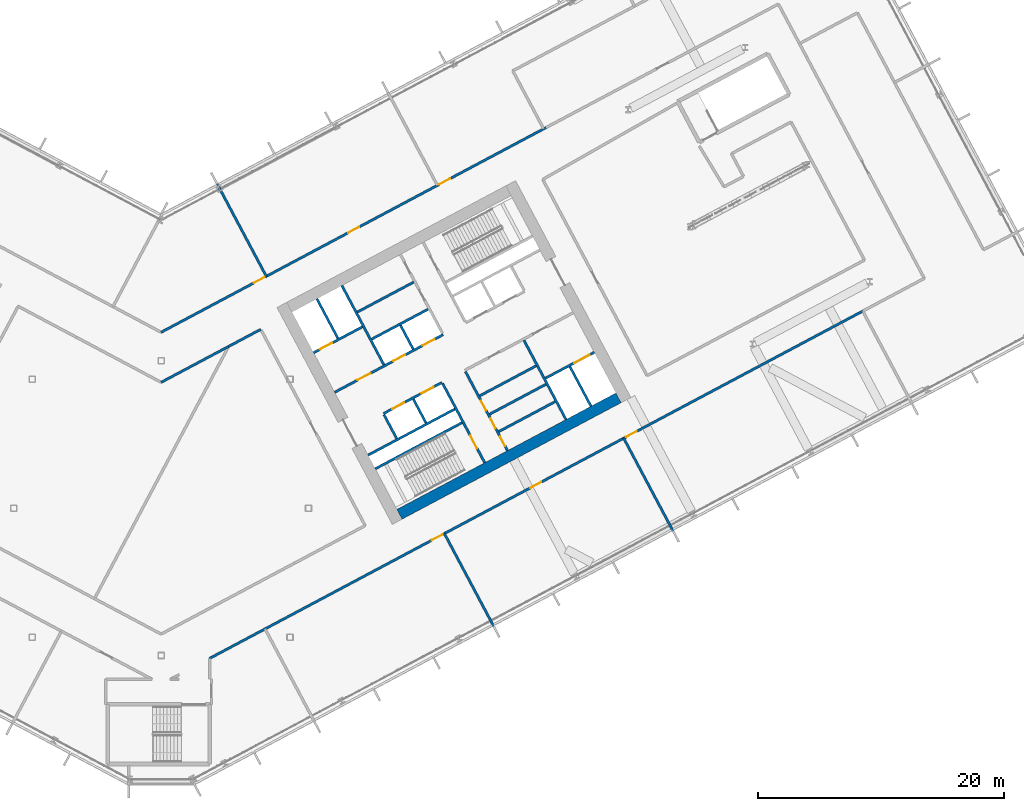
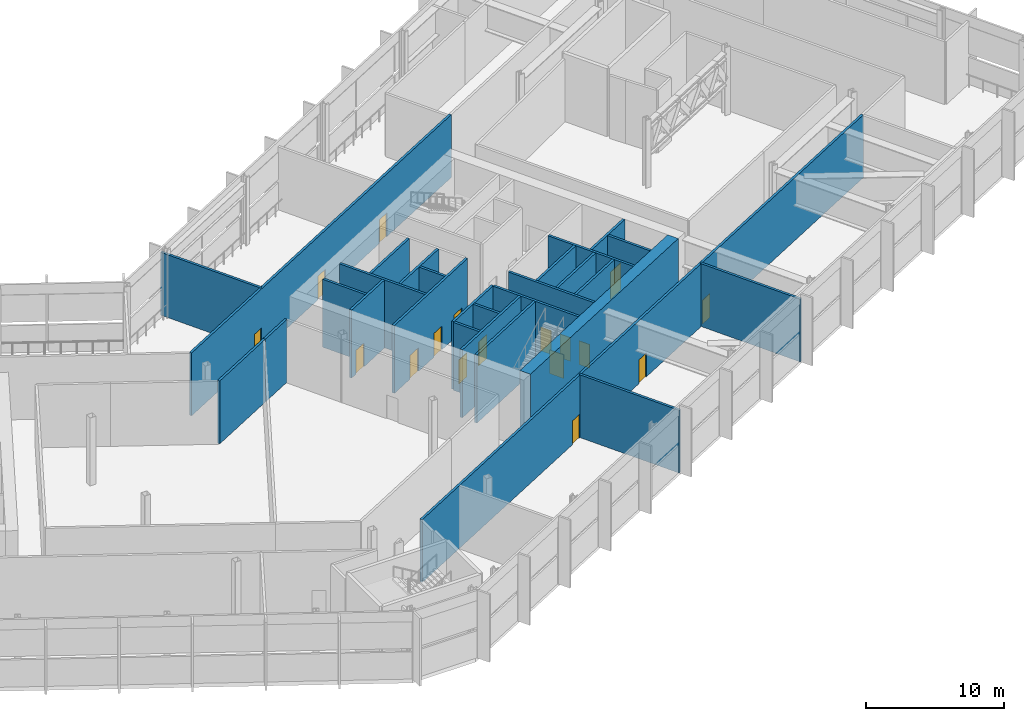
# One storey, part 15 of 33: 28 walls, 17 doors, 17 openings.
"""IFC4 building model written with IfcOpenShell, lengths in metres."""

import ifcopenshell
import ifcopenshell.guid

model = None  # the IFC model being written
_history = None  # IfcOwnerHistory: only IFC2X3 demands one
_inside = {}  # id of a spatial element -> (the spatial element, [elements in it])
_under = {}  # id of a project, library or spatial element -> (it, [spatial elements below it])
_declared = {}  # id of a project -> (the project, [libraries it declares])
_typed = {}  # id of a type object -> (the type object, [elements of that type])
_made_of = {}  # id of a material, layer set ... -> (it, [elements and type objects made of it])


def new_model(schema):
    """Start an empty IFC model of exactly this schema.

    Asked for "IFC4X3", IfcOpenShell would pick the latest addendum, in which some entities
    have other attributes; the version numbers below select the first issue.
    IFC2X3 requires an IfcOwnerHistory on every rooted entity: one is made here for all.
    """
    global model, _history
    if schema == "IFC4X3":
        model = ifcopenshell.file(schema_version=(4, 3, 0, 0))
    else:
        model = ifcopenshell.file(schema=schema)
    _inside.clear()
    _under.clear()
    _declared.clear()
    _typed.clear()
    _made_of.clear()
    _history = None
    if model.schema == "IFC2X3":
        org = make("IfcOrganization", Name="unknown")
        user = make(
            "IfcPersonAndOrganization",
            ThePerson=make("IfcPerson", FamilyName="unknown"),
            TheOrganization=org,
        )
        app = make(
            "IfcApplication",
            ApplicationDeveloper=org,
            Version="unknown",
            ApplicationFullName="unknown",
            ApplicationIdentifier="unknown",
        )
        _history = make(
            "IfcOwnerHistory",
            OwningUser=user,
            OwningApplication=app,
            ChangeAction="ADDED",
            CreationDate=0,
        )
    return model


def make(cls, **values):
    """One entity of the class cls with the attributes given. An attribute that is None is left unset."""
    return model.create_entity(
        cls, **{name: value for name, value in values.items() if value is not None}
    )


def rooted(cls, **values):
    """An entity with a GlobalId (a new one), such as an element, a storey or a relation."""
    return make(cls, GlobalId=ifcopenshell.guid.new(), OwnerHistory=_history, **values)


def si_unit(unit_type, name, prefix=None):
    """IfcSIUnit, for example si_unit("LENGTHUNIT", "METRE", prefix="MILLI")."""
    return make("IfcSIUnit", UnitType=unit_type, Prefix=prefix, Name=name)


def assignment(units):
    """IfcUnitAssignment: the units of a project."""
    return None if units is None else make("IfcUnitAssignment", Units=units)


def point(xyz):
    """IfcCartesianPoint."""
    return None if xyz is None else make("IfcCartesianPoint", Coordinates=xyz)


def direction(xyz):
    """IfcDirection."""
    return None if xyz is None else make("IfcDirection", DirectionRatios=xyz)


def frame(location, z_axis=None, x_axis=None):
    """IfcAxis2Placement3D, a coordinate frame: its origin and axes. An axis left out is left unset."""
    return make(
        "IfcAxis2Placement3D",
        Location=point(location),
        Axis=direction(z_axis),
        RefDirection=direction(x_axis),
    )


def frame_2d(location, x_axis=None):
    """IfcAxis2Placement2D, a coordinate frame in the plane: its origin and x axis."""
    return make(
        "IfcAxis2Placement2D", Location=point(location), RefDirection=direction(x_axis)
    )


def origin():
    """The frame at (0, 0, 0) with its axes left unset."""
    return frame((0.0, 0.0, 0.0))


def place(relative_to, where):
    """IfcLocalPlacement: puts the frame where relative to a parent placement (None: the world)."""
    return make(
        "IfcLocalPlacement", PlacementRelTo=relative_to, RelativePlacement=where
    )


def context(
    kind, dimensions, precision=None, world=None, true_north=None, identifier=None
):
    """IfcGeometricRepresentationContext, for example the 3D "Model" context."""
    return make(
        "IfcGeometricRepresentationContext",
        ContextIdentifier=identifier,
        ContextType=kind,
        CoordinateSpaceDimension=dimensions,
        Precision=precision,
        WorldCoordinateSystem=world,
        TrueNorth=true_north,
    )


def subcontext(parent, identifier, kind, view, scale=None):
    """IfcGeometricRepresentationSubContext, for example "Body" below "Model"."""
    return make(
        "IfcGeometricRepresentationSubContext",
        ContextIdentifier=identifier,
        ContextType=kind,
        ParentContext=parent,
        TargetScale=scale,
        TargetView=view,
    )


def project(units=None, contexts=None):
    """IfcProject with its units and contexts."""
    return rooted(
        "IfcProject",
        Name="project",
        RepresentationContexts=contexts,
        UnitsInContext=assignment(units),
    )


def spatial(cls, under=None, at=None, **own):
    """A site, building, storey or space (cls), placed at a placement, below another one or the project."""
    s = rooted(cls, ObjectPlacement=at, **own)
    if under is not None:
        _under.setdefault(under.id(), (under, []))[1].append(s)
    return s


def profile(cls, at=None, kind="AREA", **sizes):
    """A parametric profile (cls). Its sizes go by their IFC names, for example OverallWidth=200.0."""
    return make(cls, ProfileType=kind, Position=at, **sizes)


def rectangle(**sizes):
    """IfcRectangleProfileDef."""
    return profile("IfcRectangleProfileDef", **sizes)


def extrude(swept, where, along, depth):
    """IfcExtrudedAreaSolid: the profile swept, set in the frame where, extruded along a direction by depth."""
    return make(
        "IfcExtrudedAreaSolid",
        SweptArea=swept,
        Position=where,
        ExtrudedDirection=direction(along),
        Depth=depth,
    )


def shape(context_of_items, identifier, shape_type, items):
    """IfcShapeRepresentation: the items that make up one representation, for example the "Body"."""
    return make(
        "IfcShapeRepresentation",
        ContextOfItems=context_of_items,
        RepresentationIdentifier=identifier,
        RepresentationType=shape_type,
        Items=items,
    )


def material(Name=None, Category=None):
    """IfcMaterial."""
    return make("IfcMaterial", Name=Name, Category=Category)


def layer(
    of_material, thickness, ventilated=None, Name=None, Category=None, Priority=None
):
    """IfcMaterialLayer: one layer of a wall or slab, of a material (None: an air gap)."""
    return make(
        "IfcMaterialLayer",
        Material=of_material,
        LayerThickness=thickness,
        IsVentilated=ventilated,
        Name=Name,
        Category=Category,
        Priority=Priority,
    )


def layer_set(layers, Name=None):
    """IfcMaterialLayerSet."""
    return make("IfcMaterialLayerSet", MaterialLayers=layers, LayerSetName=Name)


def made_of(thing, what):
    """Note that an element or type object is made of a material, layer set ...; save() writes the relation."""
    if what is not None:
        _made_of.setdefault(what.id(), (what, []))[1].append(thing)
    return thing


def type_object(cls, material=None, **own):
    """A type object (cls), such as IfcWallType, which elements share."""
    return made_of(rooted(cls, **own), material)


def element(
    cls,
    number,
    at=None,
    inside=None,
    cuts=None,
    type_object=None,
    material=None,
    context=None,
    identifier="Body",
    shape_type=None,
    held_by="IfcProductDefinitionShape",
    body=None,
    shapes=None,
    **own,
):
    """One element of the class cls, such as IfcWall. Its Tag is "e" and its number.

    at: its placement. inside: the storey or other place that contains it. cuts: it is an
    opening in that element (IfcRelVoidsElement). A single representation is given by context,
    identifier, shape_type and body (its items); several are given by shapes. held_by: the class
    of the entity that holds the representations. save() writes the other relations.
    """
    e = rooted(cls, Tag="e%d" % number, ObjectPlacement=at, **own)
    if body is not None:
        shapes = [shape(context, identifier, shape_type, body)]
    if shapes is not None:
        e.Representation = make(held_by, Representations=shapes)
    if inside is not None:
        _inside.setdefault(inside.id(), (inside, []))[1].append(e)
    if cuts is not None:
        rooted(
            "IfcRelVoidsElement", RelatingBuildingElement=cuts, RelatedOpeningElement=e
        )
    if type_object is not None:
        _typed.setdefault(type_object.id(), (type_object, []))[1].append(e)
    return made_of(e, material)


def fill(opening, filler):
    """IfcRelFillsElement: the door or window that sits in an opening."""
    return rooted(
        "IfcRelFillsElement",
        RelatingOpeningElement=opening,
        RelatedBuildingElement=filler,
    )


def aggregate(whole, parts):
    """IfcRelAggregates: a whole, such as a stair, and the parts it consists of."""
    return rooted("IfcRelAggregates", RelatingObject=whole, RelatedObjects=parts)


def save(model, path):
    """Write the relations noted so far, then the file.

    IfcRelAggregates (storeys below a building ...), IfcRelContainedInSpatialStructure (elements
    in a storey), IfcRelDefinesByType, IfcRelAssociatesMaterial and IfcRelDeclares: one each for
    every whole, place, type object, material and project.
    """
    for whole, parts in _under.values():
        aggregate(whole, parts)
    for where, things in _inside.values():
        rooted(
            "IfcRelContainedInSpatialStructure",
            RelatedElements=things,
            RelatingStructure=where,
        )
    for kind, things in _typed.values():
        rooted("IfcRelDefinesByType", RelatedObjects=things, RelatingType=kind)
    for what, things in _made_of.values():
        rooted("IfcRelAssociatesMaterial", RelatedObjects=things, RelatingMaterial=what)
    for by, libraries in _declared.values():
        rooted("IfcRelDeclares", RelatingContext=by, RelatedDefinitions=libraries)
    model.write(path)


model = new_model("IFC4")

# Units and contexts
model_context = context("Model", 3, precision=1e-05, world=origin(), true_north=direction((0.0, 1.0)))
body_context = subcontext(model_context, "Body", "Model", "MODEL_VIEW")
ifc_project = project(units=[si_unit("LENGTHUNIT", "METRE"), si_unit("AREAUNIT", "SQUARE_METRE"), si_unit("VOLUMEUNIT", "CUBIC_METRE"), si_unit("PLANEANGLEUNIT", "RADIAN"), si_unit("MASSUNIT", "GRAM", prefix="KILO")], contexts=[model_context])

# Site, building, storey
site_placement = place(None, origin())
site = spatial("IfcSite", under=ifc_project, at=site_placement, CompositionType="ELEMENT")
building_placement = place(site_placement, origin())
building = spatial("IfcBuilding", under=site, at=building_placement, Name="Cormorant Relay Tower", CompositionType="ELEMENT")
storey_placement = place(building_placement, frame((0.0, 0.0, 112.199951171875)))
storey = spatial("IfcBuildingStorey", under=building, at=storey_placement, Name="L22", CompositionType="ELEMENT", Elevation=112.199951171875)

# Walls
ifc_material_1 = material(Name="Concrete 40 MPa", Category="concrete")
ifc_layer_1 = layer(ifc_material_1, 0.199951171875)
ifc_layer_set_1 = layer_set([ifc_layer_1], Name="Core internal wall 200")
wall_type_1 = type_object("IfcWallType", Name="Core internal wall 200", PredefinedType="SOLIDWALL", material=ifc_layer_set_1)
for number, where, z_axis, x_axis, name in (
    (1, (21.567626953125, 6.9375, 0.0), (0.0, 0.0, 1.0), (-0.469533832133, 0.882914480843, 0.0), "L22 core B shaft and room wall"),
    (2, (20.522216796875, 12.950439453125, 0.0), (0.0, 0.0, 1.0), (-0.469401318492, 0.882984938828, 0.0), "L22 core B shaft and room wall"),
):
    element("IfcWall", number, at=place(storey_placement, frame(where, z_axis=z_axis, x_axis=x_axis)), inside=storey, type_object=wall_type_1, Name=name, PredefinedType="SOLIDWALL", context=body_context, shape_type="SweptSolid", body=[
        extrude(rectangle(XDim=2.199951171875, YDim=0.199951171875, at=frame_2d((1.10009765625, 0.0))), origin(), (0.0, 0.0, 1.0), 6.0),
    ])
for number, where, z_axis, x_axis, name in (
    (3, (27.490234375, 6.23583984375, 0.0), (0.0, 0.0, 1.0), (0.882953967957, 0.469459572775, 0.0), "L22 core B shaft and room wall"),
    (4, (26.739013671875, 7.6484375, 0.0), (0.0, 0.0, 1.0), (0.882934506056, 0.469496174655, 0.0), "L22 core B shaft and room wall"),
    (5, (15.97314453125, 15.968017578125, 0.0), (0.0, 0.0, 1.0), (0.882953967957, 0.469459572775, 0.0), "L22 core B shaft and room wall"),
):
    element("IfcWall", number, at=place(storey_placement, frame(where, z_axis=z_axis, x_axis=x_axis)), inside=storey, type_object=wall_type_1, Name=name, PredefinedType="SOLIDWALL", context=body_context, shape_type="SweptSolid", body=[
        extrude(rectangle(XDim=5.199951171875, YDim=0.199951171875, at=frame_2d((2.60009765625, 0.0))), origin(), (0.0, 0.0, 1.0), 6.0),
    ])
ifc_material_2 = material(Name="Concrete 50 MPa", Category="concrete")
ifc_layer_2 = layer(ifc_material_2, 0.199951171875)
ifc_layer_set_2 = layer_set([ifc_layer_2], Name="Core shaft wall 200")
wall_type_2 = type_object("IfcWallType", Name="Core shaft wall 200", PredefinedType="SHEAR", material=ifc_layer_set_2)
wall_1_placement = place(storey_placement, frame((14.39404296875, 13.825927734375, 0.0), z_axis=(0.0, 0.0, 1.0), x_axis=(-0.469494272526, 0.882935517501, 0.0)))
element("IfcWall", 6, at=wall_1_placement, inside=storey, type_object=wall_type_2, Name="L22 core B shaft wall", PredefinedType="SHEAR", context=body_context, shape_type="SweptSolid", body=[
    extrude(rectangle(XDim=3.64990234375, YDim=0.199951171875, at=frame_2d((1.824951171875, 0.0))), origin(), (0.0, 0.0, 1.0), 6.0),
])
wall_2_placement = place(storey_placement, frame((19.18359375, 5.669921875, 0.0), z_axis=(0.0, 0.0, 1.0), x_axis=(-0.4694473164, 0.882960484464, 0.0)))
element("IfcWall", 7, at=wall_2_placement, inside=storey, type_object=wall_type_2, Name="L22 core B shaft wall", PredefinedType="SHEAR", context=body_context, shape_type="SweptSolid", body=[
    extrude(rectangle(XDim=2.199951171875, YDim=0.199951171875, at=frame_2d((1.10009765625, 0.0))), origin(), (0.0, 0.0, 1.0), 6.0),
])
wall_3_placement = place(storey_placement, frame((18.138427734375, 11.682861328125, 0.0), z_axis=(0.0, 0.0, 1.0), x_axis=(-0.469480409012, 0.88294288918, 0.0)))
element("IfcWall", 8, at=wall_3_placement, inside=storey, type_object=wall_type_2, Name="L22 core B shaft wall", PredefinedType="SHEAR", context=body_context, shape_type="SweptSolid", body=[
    extrude(rectangle(XDim=7.300048828125, YDim=0.199951171875, at=frame_2d((3.64990234375, 0.0))), origin(), (0.0, 0.0, 1.0), 6.0),
])

# Wall, opening, door
wall_4_placement = place(storey_placement, frame((26.345947265625, 3.701904296875, 0.0), z_axis=(0.0, 0.0, 1.0), x_axis=(-0.469480409012, 0.88294288918, 0.0)))
wall_4 = element("IfcWall", 9, at=wall_4_placement, inside=storey, type_object=wall_type_2, Name="L22 core B shaft wall", PredefinedType="SHEAR", context=body_context, shape_type="SweptSolid", body=[
    extrude(rectangle(XDim=7.300048828125, YDim=0.199951171875, at=frame_2d((3.64990234375, 0.0))), origin(), (0.0, 0.0, 1.0), 6.0),
])
opening_1_placement = place(wall_4_placement, frame((1.300048828125, 0.0, 0.0)))
opening_1 = element("IfcOpeningElement", 10, at=opening_1_placement, cuts=wall_4, Name="Opening CDB-031", PredefinedType="OPENING", context=body_context, shape_type="SweptSolid", body=[
    extrude(rectangle(XDim=1.199951171875, YDim=2.10009765625, at=frame_2d((0.60009765625, 1.050048828125))), frame((0.0, 0.10986328125, 0.0), z_axis=(0.0, -1.0, 0.0), x_axis=(1.0, 0.0, 0.0)), (0.0, 0.0, 1.0), 0.219970703125),
])
ifc_material_3 = material(Name="Steel fire door", Category="steel")
door_type_1 = type_object("IfcDoorType", Name="Core stair door 1200x2100", OperationType="SINGLE_SWING_LEFT", PredefinedType="DOOR", material=ifc_material_3)
door_1_placement = place(opening_1_placement, origin())
door_1 = element("IfcDoor", 11, at=door_1_placement, inside=storey, type_object=door_type_1, Name="Core stair door 1200x2100", OperationType="SINGLE_SWING_RIGHT", OverallHeight=2.10009765625, OverallWidth=1.199951171875, PredefinedType="DOOR", context=body_context, shape_type="SweptSolid", body=[
    extrude(rectangle(XDim=1.199951171875, YDim=2.10009765625, at=frame_2d((0.60009765625, 1.050048828125))), frame((0.0, 0.02490234375, 0.0), z_axis=(0.0, -1.0, 0.0), x_axis=(1.0, 0.0, 0.0)), (0.0, 0.0, 1.0), 0.050048828125),
])
fill(opening_1, door_1)

# Wall, openings, doors
wall_5_placement = place(storey_placement, frame((28.199951171875, 4.687744140625, 0.0), z_axis=(0.0, 0.0, 1.0), x_axis=(-0.469454336211, 0.882956752176, 0.0)))
wall_5 = element("IfcWall", 12, at=wall_5_placement, inside=storey, type_object=wall_type_2, Name="L22 core B shaft wall", PredefinedType="SHEAR", context=body_context, shape_type="SweptSolid", body=[
    extrude(rectangle(XDim=7.300048828125, YDim=0.199951171875, at=frame_2d((3.64990234375, 0.0))), origin(), (0.0, 0.0, 1.0), 6.0),
])
opening_2_placement = place(wall_5_placement, frame((0.39990234375, 0.0, 0.0)))
opening_2 = element("IfcOpeningElement", 13, at=opening_2_placement, cuts=wall_5, Name="Opening CDD-163", PredefinedType="OPENING", context=body_context, shape_type="SweptSolid", body=[
    extrude(rectangle(XDim=0.89990234375, YDim=2.10009765625, at=frame_2d((0.449951171875, 1.050048828125))), frame((0.0, 0.10986328125, 0.0), z_axis=(0.0, -1.0, 0.0), x_axis=(1.0, 0.0, 0.0)), (0.0, 0.0, 1.0), 0.219970703125),
])
opening_3_placement = place(wall_5_placement, frame((2.050048828125, 0.0, 0.0)))
opening_3 = element("IfcOpeningElement", 14, at=opening_3_placement, cuts=wall_5, Name="Opening CDD-164", PredefinedType="OPENING", context=body_context, shape_type="SweptSolid", body=[
    extrude(rectangle(XDim=0.89990234375, YDim=2.10009765625, at=frame_2d((0.449951171875, 1.050048828125))), frame((0.0, 0.10986328125, 0.0), z_axis=(0.0, -1.0, 0.0), x_axis=(1.0, 0.0, 0.0)), (0.0, 0.0, 1.0), 0.219970703125),
])
opening_4_placement = place(wall_5_placement, frame((3.699951171875, 0.0, 0.0)))
opening_4 = element("IfcOpeningElement", 15, at=opening_4_placement, cuts=wall_5, Name="Opening CDD-165", PredefinedType="OPENING", context=body_context, shape_type="SweptSolid", body=[
    extrude(rectangle(XDim=0.89990234375, YDim=2.10009765625, at=frame_2d((0.449951171875, 1.050048828125))), frame((0.0, 0.10986328125, 0.0), z_axis=(0.0, -1.0, 0.0), x_axis=(1.0, 0.0, 0.0)), (0.0, 0.0, 1.0), 0.219970703125),
])
ifc_material_4 = material(Name="Steel fire door", Category="steel")
door_type_2 = type_object("IfcDoorType", Name="Core room door 900x2100", OperationType="SINGLE_SWING_LEFT", PredefinedType="DOOR", material=ifc_material_4)
door_2_placement = place(opening_2_placement, frame((0.89990234375, 0.0, 0.0), z_axis=(0.0, 0.0, 1.0), x_axis=(-1.0, 0.0, 0.0)))
door_2 = element("IfcDoor", 16, at=door_2_placement, inside=storey, type_object=door_type_2, Name="Core room door 900x2100", OperationType="SINGLE_SWING_LEFT", OverallHeight=2.10009765625, OverallWidth=0.89990234375, PredefinedType="DOOR", context=body_context, shape_type="SweptSolid", body=[
    extrude(rectangle(XDim=0.89990234375, YDim=2.10009765625, at=frame_2d((0.449951171875, 1.050048828125))), frame((0.0, 0.02490234375, 0.0), z_axis=(0.0, -1.0, 0.0), x_axis=(1.0, 0.0, 0.0)), (0.0, 0.0, 1.0), 0.050048828125),
])
fill(opening_2, door_2)
door_3_placement = place(opening_3_placement, frame((0.89990234375, 0.0, 0.0), z_axis=(0.0, 0.0, 1.0), x_axis=(-1.0, 0.0, 0.0)))
door_3 = element("IfcDoor", 17, at=door_3_placement, inside=storey, type_object=door_type_2, Name="Core room door 900x2100", OperationType="SINGLE_SWING_LEFT", OverallHeight=2.10009765625, OverallWidth=0.89990234375, PredefinedType="DOOR", context=body_context, shape_type="SweptSolid", body=[
    extrude(rectangle(XDim=0.89990234375, YDim=2.10009765625, at=frame_2d((0.449951171875, 1.050048828125))), frame((0.0, 0.02490234375, 0.0), z_axis=(0.0, -1.0, 0.0), x_axis=(1.0, 0.0, 0.0)), (0.0, 0.0, 1.0), 0.050048828125),
])
fill(opening_3, door_3)
door_4_placement = place(opening_4_placement, frame((0.89990234375, 0.0, 0.0), z_axis=(0.0, 0.0, 1.0), x_axis=(-1.0, 0.0, 0.0)))
door_4 = element("IfcDoor", 18, at=door_4_placement, inside=storey, type_object=door_type_2, Name="Core room door 900x2100", OperationType="SINGLE_SWING_LEFT", OverallHeight=2.10009765625, OverallWidth=0.89990234375, PredefinedType="DOOR", context=body_context, shape_type="SweptSolid", body=[
    extrude(rectangle(XDim=0.89990234375, YDim=2.10009765625, at=frame_2d((0.449951171875, 1.050048828125))), frame((0.0, 0.02490234375, 0.0), z_axis=(0.0, -1.0, 0.0), x_axis=(1.0, 0.0, 0.0)), (0.0, 0.0, 1.0), 0.050048828125),
])
fill(opening_4, door_4)

# Walls
wall_6_placement = place(storey_placement, frame((32.968017578125, 7.222900390625, 0.0), z_axis=(0.0, 0.0, 1.0), x_axis=(-0.469480409012, 0.88294288918, 0.0)))
element("IfcWall", 19, at=wall_6_placement, inside=storey, type_object=wall_type_2, Name="L22 core B shaft wall", PredefinedType="SHEAR", context=body_context, shape_type="SweptSolid", body=[
    extrude(rectangle(XDim=7.300048828125, YDim=0.199951171875, at=frame_2d((3.64990234375, 0.0))), origin(), (0.0, 0.0, 1.0), 6.0),
])
wall_7_placement = place(storey_placement, frame((34.998779296875, 8.302734375, 0.0), z_axis=(0.0, 0.0, 1.0), x_axis=(-0.4694665462, 0.882950260207, 0.0)))
element("IfcWall", 20, at=wall_7_placement, inside=storey, type_object=wall_type_2, Name="L22 core B shaft wall", PredefinedType="SHEAR", context=body_context, shape_type="SweptSolid", body=[
    extrude(rectangle(XDim=3.650146484375, YDim=0.199951171875, at=frame_2d((1.8251953125, 0.0))), origin(), (0.0, 0.0, 1.0), 6.0),
])
wall_8_placement = place(storey_placement, frame((17.43359375, 3.210205078125, 0.0), z_axis=(0.0, 0.0, 1.0), x_axis=(0.882940221191, 0.469485426614, 0.0)))
element("IfcWall", 21, at=wall_8_placement, inside=storey, type_object=wall_type_2, Name="L22 core B shaft wall", PredefinedType="SHEAR", context=body_context, shape_type="SweptSolid", body=[
    extrude(rectangle(XDim=8.0, YDim=0.199951171875, at=frame_2d((4.0, 0.0))), origin(), (0.0, 0.0, 1.0), 6.0),
])

# Wall, opening, door
wall_9_placement = place(storey_placement, frame((31.295654296875, 10.5810546875, 0.0), z_axis=(0.0, 0.0, 1.0), x_axis=(0.882960433586, 0.469447412093, 0.0)))
wall_9 = element("IfcWall", 22, at=wall_9_placement, inside=storey, type_object=wall_type_2, Name="L22 core B shaft wall", PredefinedType="SHEAR", context=body_context, shape_type="SweptSolid", body=[
    extrude(rectangle(XDim=4.5, YDim=0.199951171875, at=frame_2d((2.25, 0.0))), origin(), (0.0, 0.0, 1.0), 6.0),
])
opening_5_placement = place(wall_9_placement, frame((2.64990234375, 0.0, 0.0)))
opening_5 = element("IfcOpeningElement", 23, at=opening_5_placement, cuts=wall_9, Name="Opening LD3-012", PredefinedType="OPENING", context=body_context, shape_type="SweptSolid", body=[
    extrude(rectangle(XDim=1.39990234375, YDim=2.39990234375, at=frame_2d((0.699951171875, 1.199951171875))), frame((0.0, 0.10986328125, 0.0), z_axis=(0.0, -1.0, 0.0), x_axis=(1.0, 0.0, 0.0)), (0.0, 0.0, 1.0), 0.219970703125),
])
ifc_material_5 = material(Name="Stainless steel 316", Category="steel")
door_type_3 = type_object("IfcDoorType", Name="Lift landing door 1400x2400", OperationType="DOUBLE_DOOR_SLIDING", PredefinedType="DOOR", material=ifc_material_5)
door_5_placement = place(opening_5_placement, origin())
door_5 = element("IfcDoor", 24, at=door_5_placement, inside=storey, type_object=door_type_3, Name="SV2 landing door", OperationType="DOUBLE_DOOR_SLIDING", OverallHeight=2.39990234375, OverallWidth=1.39990234375, PredefinedType="DOOR", context=body_context, shape_type="SweptSolid", body=[
    extrude(rectangle(XDim=1.39990234375, YDim=2.39990234375, at=frame_2d((0.699951171875, 1.199951171875))), frame((0.0, 0.02490234375, 0.0), z_axis=(0.0, -1.0, 0.0), x_axis=(1.0, 0.0, 0.0)), (0.0, 0.0, 1.0), 0.050048828125),
])
fill(opening_5, door_5)

# Walls
wall_10_placement = place(storey_placement, frame((16.8466796875, 4.31396484375, 0.0), z_axis=(0.0, 0.0, 1.0), x_axis=(0.882940221191, 0.469485426614, 0.0)))
element("IfcWall", 25, at=wall_10_placement, inside=storey, type_object=wall_type_2, Name="L22 core B shaft wall", PredefinedType="SHEAR", context=body_context, shape_type="SweptSolid", body=[
    extrude(rectangle(XDim=8.0, YDim=0.199951171875, at=frame_2d((4.0, 0.0))), origin(), (0.0, 0.0, 1.0), 6.0),
])
wall_11_placement = place(storey_placement, frame((25.94091796875, 9.149658203125, 0.0), z_axis=(0.0, 0.0, 1.0), x_axis=(0.882953967957, 0.469459572775, 0.0)))
element("IfcWall", 26, at=wall_11_placement, inside=storey, type_object=wall_type_2, Name="L22 core B shaft wall", PredefinedType="SHEAR", context=body_context, shape_type="SweptSolid", body=[
    extrude(rectangle(XDim=5.199951171875, YDim=0.199951171875, at=frame_2d((2.60009765625, 0.0))), origin(), (0.0, 0.0, 1.0), 6.0),
])

# Wall, openings, doors
wall_12_placement = place(storey_placement, frame((18.103759765625, 7.70068359375, 0.0), z_axis=(0.0, 0.0, 1.0), x_axis=(0.882952937579, 0.469461510692, 0.0)))
wall_12 = element("IfcWall", 27, at=wall_12_placement, inside=storey, type_object=wall_type_2, Name="L22 core B shaft wall", PredefinedType="SHEAR", context=body_context, shape_type="SweptSolid", body=[
    extrude(rectangle(XDim=5.400146484375, YDim=0.199951171875, at=frame_2d((2.7001953125, 0.0))), origin(), (0.0, 0.0, 1.0), 6.0),
])
opening_6_placement = place(wall_12_placement, frame((0.800048828125, 0.0, 0.0)))
opening_6 = element("IfcOpeningElement", 28, at=opening_6_placement, cuts=wall_12, Name="Opening LD1-040", PredefinedType="OPENING", context=body_context, shape_type="SweptSolid", body=[
    extrude(rectangle(XDim=1.10009765625, YDim=2.10009765625, at=frame_2d((0.550048828125, 1.050048828125))), frame((0.0, 0.10986328125, 0.0), z_axis=(0.0, -1.0, 0.0), x_axis=(1.0, 0.0, 0.0)), (0.0, 0.0, 1.0), 0.219970703125),
])
opening_7_placement = place(wall_12_placement, frame((3.5, 0.0, 0.0)))
opening_7 = element("IfcOpeningElement", 29, at=opening_7_placement, cuts=wall_12, Name="Opening LD1-041", PredefinedType="OPENING", context=body_context, shape_type="SweptSolid", body=[
    extrude(rectangle(XDim=1.10009765625, YDim=2.10009765625, at=frame_2d((0.550048828125, 1.050048828125))), frame((0.0, 0.10986328125, 0.0), z_axis=(0.0, -1.0, 0.0), x_axis=(1.0, 0.0, 0.0)), (0.0, 0.0, 1.0), 0.219970703125),
])
ifc_material_6 = material(Name="Stainless steel 316", Category="steel")
door_type_4 = type_object("IfcDoorType", Name="Lift landing door 1100x2100", OperationType="DOUBLE_DOOR_SLIDING", PredefinedType="DOOR", material=ifc_material_6)
door_6_placement = place(opening_6_placement, origin())
door_6 = element("IfcDoor", 30, at=door_6_placement, inside=storey, type_object=door_type_4, Name="LR5 landing door", OperationType="DOUBLE_DOOR_SLIDING", OverallHeight=2.10009765625, OverallWidth=1.10009765625, PredefinedType="DOOR", context=body_context, shape_type="SweptSolid", body=[
    extrude(rectangle(XDim=1.10009765625, YDim=2.10009765625, at=frame_2d((0.550048828125, 1.050048828125))), frame((0.0, 0.02490234375, 0.0), z_axis=(0.0, -1.0, 0.0), x_axis=(1.0, 0.0, 0.0)), (0.0, 0.0, 1.0), 0.050048828125),
])
fill(opening_6, door_6)
door_7_placement = place(opening_7_placement, origin())
door_7 = element("IfcDoor", 31, at=door_7_placement, inside=storey, type_object=door_type_4, Name="LR6 landing door", OperationType="DOUBLE_DOOR_SLIDING", OverallHeight=2.10009765625, OverallWidth=1.10009765625, PredefinedType="DOOR", context=body_context, shape_type="SweptSolid", body=[
    extrude(rectangle(XDim=1.10009765625, YDim=2.10009765625, at=frame_2d((0.550048828125, 1.050048828125))), frame((0.0, 0.02490234375, 0.0), z_axis=(0.0, -1.0, 0.0), x_axis=(1.0, 0.0, 0.0)), (0.0, 0.0, 1.0), 0.050048828125),
])
fill(opening_7, door_7)

wall_13_placement = place(storey_placement, frame((14.123779296875, 9.43505859375, 0.0), z_axis=(0.0, 0.0, 1.0), x_axis=(0.882940221191, 0.469485426614, 0.0)))
wall_13 = element("IfcWall", 32, at=wall_13_placement, inside=storey, type_object=wall_type_2, Name="L22 core B shaft wall", PredefinedType="SHEAR", context=body_context, shape_type="SweptSolid", body=[
    extrude(rectangle(XDim=10.0, YDim=0.199951171875, at=frame_2d((5.0, 0.0))), origin(), (0.0, 0.0, 1.0), 6.0),
])
opening_8_placement = place(wall_13_placement, frame((2.10009765625, 0.0, 0.0)))
opening_8 = element("IfcOpeningElement", 33, at=opening_8_placement, cuts=wall_13, Name="Opening CDC-023", PredefinedType="OPENING", context=body_context, shape_type="SweptSolid", body=[
    extrude(rectangle(XDim=1.199951171875, YDim=2.10009765625, at=frame_2d((0.60009765625, 1.050048828125))), frame((0.0, 0.10986328125, 0.0), z_axis=(0.0, -1.0, 0.0), x_axis=(1.0, 0.0, 0.0)), (0.0, 0.0, 1.0), 0.219970703125),
])
opening_9_placement = place(wall_13_placement, frame((5.39990234375, 0.0, 0.0)))
opening_9 = element("IfcOpeningElement", 34, at=opening_9_placement, cuts=wall_13, Name="Opening LD1-036", PredefinedType="OPENING", context=body_context, shape_type="SweptSolid", body=[
    extrude(rectangle(XDim=1.10009765625, YDim=2.10009765625, at=frame_2d((0.550048828125, 1.050048828125))), frame((0.0, 0.10986328125, 0.0), z_axis=(0.0, -1.0, 0.0), x_axis=(1.0, 0.0, 0.0)), (0.0, 0.0, 1.0), 0.219970703125),
])
opening_10_placement = place(wall_13_placement, frame((8.10009765625, 0.0, 0.0)))
opening_10 = element("IfcOpeningElement", 35, at=opening_10_placement, cuts=wall_13, Name="Opening LD1-037", PredefinedType="OPENING", context=body_context, shape_type="SweptSolid", body=[
    extrude(rectangle(XDim=1.10009765625, YDim=2.10009765625, at=frame_2d((0.550048828125, 1.050048828125))), frame((0.0, 0.10986328125, 0.0), z_axis=(0.0, -1.0, 0.0), x_axis=(1.0, 0.0, 0.0)), (0.0, 0.0, 1.0), 0.219970703125),
])
ifc_material_7 = material(Name="Steel fire door", Category="steel")
door_type_5 = type_object("IfcDoorType", Name="Core lobby door 1200x2100", OperationType="SINGLE_SWING_LEFT", PredefinedType="DOOR", material=ifc_material_7)
door_8_placement = place(opening_8_placement, origin())
door_8 = element("IfcDoor", 36, at=door_8_placement, inside=storey, type_object=door_type_5, Name="Core lobby door 1200x2100", OperationType="SINGLE_SWING_RIGHT", OverallHeight=2.10009765625, OverallWidth=1.199951171875, PredefinedType="DOOR", context=body_context, shape_type="SweptSolid", body=[
    extrude(rectangle(XDim=1.199951171875, YDim=2.10009765625, at=frame_2d((0.60009765625, 1.050048828125))), frame((0.0, 0.02490234375, 0.0), z_axis=(0.0, -1.0, 0.0), x_axis=(1.0, 0.0, 0.0)), (0.0, 0.0, 1.0), 0.050048828125),
])
fill(opening_8, door_8)
door_9_placement = place(opening_9_placement, origin())
door_9 = element("IfcDoor", 37, at=door_9_placement, inside=storey, type_object=door_type_4, Name="LR1 landing door", OperationType="DOUBLE_DOOR_SLIDING", OverallHeight=2.10009765625, OverallWidth=1.10009765625, PredefinedType="DOOR", context=body_context, shape_type="SweptSolid", body=[
    extrude(rectangle(XDim=1.10009765625, YDim=2.10009765625, at=frame_2d((0.550048828125, 1.050048828125))), frame((0.0, 0.02490234375, 0.0), z_axis=(0.0, -1.0, 0.0), x_axis=(1.0, 0.0, 0.0)), (0.0, 0.0, 1.0), 0.050048828125),
])
fill(opening_9, door_9)
door_10_placement = place(opening_10_placement, origin())
door_10 = element("IfcDoor", 38, at=door_10_placement, inside=storey, type_object=door_type_4, Name="LR2 landing door", OperationType="DOUBLE_DOOR_SLIDING", OverallHeight=2.10009765625, OverallWidth=1.10009765625, PredefinedType="DOOR", context=body_context, shape_type="SweptSolid", body=[
    extrude(rectangle(XDim=1.10009765625, YDim=2.10009765625, at=frame_2d((0.550048828125, 1.050048828125))), frame((0.0, 0.02490234375, 0.0), z_axis=(0.0, -1.0, 0.0), x_axis=(1.0, 0.0, 0.0)), (0.0, 0.0, 1.0), 0.050048828125),
])
fill(opening_10, door_10)

# Wall
wall_14_placement = place(storey_placement, frame((17.146728515625, 13.7607421875, 0.0), z_axis=(0.0, 0.0, 1.0), x_axis=(0.882964314875, 0.469440111896, 0.0)))
element("IfcWall", 39, at=wall_14_placement, inside=storey, type_object=wall_type_2, Name="L22 core B shaft wall", PredefinedType="SHEAR", context=body_context, shape_type="SweptSolid", body=[
    extrude(rectangle(XDim=5.2001953125, YDim=0.199951171875, at=frame_2d((2.60009765625, 0.0))), origin(), (0.0, 0.0, 1.0), 6.0),
])

# Wall, opening, door
wall_15_placement = place(storey_placement, frame((12.41015625, 12.657958984375, 0.0), z_axis=(0.0, 0.0, 1.0), x_axis=(0.8829484765, 0.469469900894, 0.0)))
wall_15 = element("IfcWall", 40, at=wall_15_placement, inside=storey, type_object=wall_type_2, Name="L22 core B shaft wall", PredefinedType="SHEAR", context=body_context, shape_type="SweptSolid", body=[
    extrude(rectangle(XDim=4.499755859375, YDim=0.199951171875, at=frame_2d((2.25, 0.0))), origin(), (0.0, 0.0, 1.0), 6.0),
])
opening_11_placement = place(wall_15_placement, frame((0.60009765625, 0.0, 0.0)))
opening_11 = element("IfcOpeningElement", 41, at=opening_11_placement, cuts=wall_15, Name="Opening LD1-042", PredefinedType="OPENING", context=body_context, shape_type="SweptSolid", body=[
    extrude(rectangle(XDim=1.10009765625, YDim=2.10009765625, at=frame_2d((0.550048828125, 1.050048828125))), frame((0.0, 0.10986328125, 0.0), z_axis=(0.0, -1.0, 0.0), x_axis=(1.0, 0.0, 0.0)), (0.0, 0.0, 1.0), 0.219970703125),
])
door_11_placement = place(opening_11_placement, origin())
door_11 = element("IfcDoor", 42, at=door_11_placement, inside=storey, type_object=door_type_4, Name="FF2 landing door", OperationType="DOUBLE_DOOR_SLIDING", OverallHeight=2.10009765625, OverallWidth=1.10009765625, PredefinedType="DOOR", context=body_context, shape_type="SweptSolid", body=[
    extrude(rectangle(XDim=1.10009765625, YDim=2.10009765625, at=frame_2d((0.550048828125, 1.050048828125))), frame((0.0, 0.02490234375, 0.0), z_axis=(0.0, -1.0, 0.0), x_axis=(1.0, 0.0, 0.0)), (0.0, 0.0, 1.0), 0.050048828125),
])
fill(opening_11, door_11)

# Wall
ifc_material_8 = material(Name="Concrete 70 MPa", Category="concrete")
ifc_layer_3 = layer(ifc_material_8, 0.89990234375)
ifc_layer_set_3 = layer_set([ifc_layer_3], Name="Core wall 900")
wall_type_3 = type_object("IfcWallType", Name="Core wall 900", PredefinedType="SHEAR", material=ifc_layer_set_3)
wall_16_placement = place(storey_placement, frame((19.4052734375, -0.498046875, 0.0), z_axis=(0.0, 0.0, 1.0), x_axis=(0.88294509198, 0.469476266226, 0.0)))
element("IfcWall", 43, at=wall_16_placement, inside=storey, type_object=wall_type_3, Name="L22 core B wall", PredefinedType="SHEAR", context=body_context, shape_type="SweptSolid", body=[
    extrude(rectangle(XDim=20.199951171875, YDim=0.89990234375, at=frame_2d((10.10009765625, 0.0))), origin(), (0.0, 0.0, 1.0), 6.0),
])

# Wall, openings, doors
ifc_material_9 = material(Name="Fire-rated gypsum board partition")
ifc_layer_4 = layer(ifc_material_9, 0.199951171875)
ifc_layer_set_4 = layer_set([ifc_layer_4], Name="Fire-rated gypsum partition 200")
wall_type_4 = type_object("IfcWallType", Name="Fire-rated gypsum partition 200", PredefinedType="PARTITIONING", material=ifc_layer_set_4)
wall_17_placement = place(storey_placement, frame((0.0, 14.326904296875, 0.0), z_axis=(0.0, 0.0, 1.0), x_axis=(0.882944972043, 0.46947649179, 0.0)))
wall_17 = element("IfcWall", 44, at=wall_17_placement, inside=storey, type_object=wall_type_4, Name="wall/L22/part/35", PredefinedType="PARTITIONING", context=body_context, shape_type="SweptSolid", body=[
    extrude(rectangle(XDim=35.482421875, YDim=0.199951171875, at=frame_2d((17.7412109375, 0.0))), origin(), (0.0, 0.0, 1.0), 5.550048828125),
])
opening_12_placement = place(wall_17_placement, frame((25.64990234375, 0.0, 0.0)))
opening_12 = element("IfcOpeningElement", 45, at=opening_12_placement, cuts=wall_17, Name="Opening FD1-129", PredefinedType="OPENING", context=body_context, shape_type="SweptSolid", body=[
    extrude(rectangle(XDim=1.0, YDim=2.10009765625, at=frame_2d((0.5, 1.050048828125))), frame((0.0, 0.10986328125, 0.0), z_axis=(0.0, -1.0, 0.0), x_axis=(1.0, 0.0, 0.0)), (0.0, 0.0, 1.0), 0.219970703125),
])
opening_13_placement = place(wall_17_placement, frame((17.25, 0.0, 0.0)))
opening_13 = element("IfcOpeningElement", 46, at=opening_13_placement, cuts=wall_17, Name="Opening FD1-130", PredefinedType="OPENING", context=body_context, shape_type="SweptSolid", body=[
    extrude(rectangle(XDim=1.0, YDim=2.10009765625, at=frame_2d((0.5, 1.050048828125))), frame((0.0, 0.10986328125, 0.0), z_axis=(0.0, -1.0, 0.0), x_axis=(1.0, 0.0, 0.0)), (0.0, 0.0, 1.0), 0.219970703125),
])
opening_14_placement = place(wall_17_placement, frame((8.550048828125, 0.0, 0.0)))
opening_14 = element("IfcOpeningElement", 47, at=opening_14_placement, cuts=wall_17, Name="Opening FD1-131", PredefinedType="OPENING", context=body_context, shape_type="SweptSolid", body=[
    extrude(rectangle(XDim=1.0, YDim=2.10009765625, at=frame_2d((0.5, 1.050048828125))), frame((0.0, 0.10986328125, 0.0), z_axis=(0.0, -1.0, 0.0), x_axis=(1.0, 0.0, 0.0)), (0.0, 0.0, 1.0), 0.219970703125),
])
ifc_material_10 = material(Name="Fire-rated steel door", Category="steel")
door_type_6 = type_object("IfcDoorType", Name="Fire door 1000 x 2100", OperationType="SINGLE_SWING_LEFT", PredefinedType="DOOR", material=ifc_material_10)
door_12_placement = place(opening_12_placement, origin())
door_12 = element("IfcDoor", 48, at=door_12_placement, inside=storey, type_object=door_type_6, Name="door/L22/10", OperationType="SINGLE_SWING_LEFT", OverallHeight=2.10009765625, OverallWidth=1.0, PredefinedType="DOOR", context=body_context, shape_type="SweptSolid", body=[
    extrude(rectangle(XDim=1.0, YDim=2.10009765625, at=frame_2d((0.5, 1.050048828125))), frame((0.0, 0.02490234375, 0.0), z_axis=(0.0, -1.0, 0.0), x_axis=(1.0, 0.0, 0.0)), (0.0, 0.0, 1.0), 0.050048828125),
])
fill(opening_12, door_12)
door_13_placement = place(opening_13_placement, origin())
door_13 = element("IfcDoor", 49, at=door_13_placement, inside=storey, type_object=door_type_6, Name="door/L22/11", OperationType="SINGLE_SWING_LEFT", OverallHeight=2.10009765625, OverallWidth=1.0, PredefinedType="DOOR", context=body_context, shape_type="SweptSolid", body=[
    extrude(rectangle(XDim=1.0, YDim=2.10009765625, at=frame_2d((0.5, 1.050048828125))), frame((0.0, 0.02490234375, 0.0), z_axis=(0.0, -1.0, 0.0), x_axis=(1.0, 0.0, 0.0)), (0.0, 0.0, 1.0), 0.050048828125),
])
fill(opening_13, door_13)
door_14_placement = place(opening_14_placement, origin())
door_14 = element("IfcDoor", 50, at=door_14_placement, inside=storey, type_object=door_type_6, Name="door/L22/12", OperationType="SINGLE_SWING_RIGHT", OverallHeight=2.10009765625, OverallWidth=1.0, PredefinedType="DOOR", context=body_context, shape_type="SweptSolid", body=[
    extrude(rectangle(XDim=1.0, YDim=2.10009765625, at=frame_2d((0.5, 1.050048828125))), frame((0.0, 0.02490234375, 0.0), z_axis=(0.0, -1.0, 0.0), x_axis=(1.0, 0.0, 0.0)), (0.0, 0.0, 1.0), 0.050048828125),
])
fill(opening_14, door_14)

# Walls
wall_18_placement = place(storey_placement, frame((5.490966796875, 13.1689453125, 0.0), z_axis=(0.0, 0.0, 1.0), x_axis=(-0.882991151497, -0.469389631733, 0.0)))
element("IfcWall", 51, at=wall_18_placement, inside=storey, type_object=wall_type_4, Name="wall/L22/part/44", PredefinedType="PARTITIONING", context=body_context, shape_type="SweptSolid", body=[
    extrude(rectangle(XDim=6.218505859375, YDim=0.199951171875, at=frame_2d((3.109375, 0.0))), origin(), (0.0, 0.0, 1.0), 5.550048828125),
])
wall_19_placement = place(storey_placement, frame((4.549072265625, 26.428955078125, 0.0), z_axis=(0.0, 0.0, 1.0), x_axis=(0.469471844694, -0.882947442965, 0.0)))
element("IfcWall", 52, at=wall_19_placement, inside=storey, type_object=wall_type_4, Name="wall/L22/part/51", PredefinedType="PARTITIONING", context=body_context, shape_type="SweptSolid", body=[
    extrude(rectangle(XDim=8.5498046875, YDim=0.199951171875, at=frame_2d((4.27490234375, 0.0))), origin(), (0.0, 0.0, 1.0), 5.550048828125),
])

# Wall, openings, doors
wall_20_placement = place(storey_placement, frame((57.135009765625, 16.052001953125, 0.0), z_axis=(0.0, 0.0, 1.0), x_axis=(-0.882947211229, -0.469472280528, 0.0)))
wall_20 = element("IfcWall", 53, at=wall_20_placement, inside=storey, type_object=wall_type_4, Name="wall/L22/part/55", PredefinedType="PARTITIONING", context=body_context, shape_type="SweptSolid", body=[
    extrude(rectangle(XDim=60.23583984375, YDim=0.199951171875, at=frame_2d((30.117919921875, 0.0))), origin(), (0.0, 0.0, 1.0), 5.550048828125),
])
opening_15_placement = place(wall_20_placement, frame((38.75, 0.0, 0.0)))
opening_15 = element("IfcOpeningElement", 54, at=opening_15_placement, cuts=wall_20, Name="Opening FD1-146", PredefinedType="OPENING", context=body_context, shape_type="SweptSolid", body=[
    extrude(rectangle(XDim=1.0, YDim=2.10009765625, at=frame_2d((0.5, 1.050048828125))), frame((0.0, 0.10986328125, 0.0), z_axis=(0.0, -1.0, 0.0), x_axis=(1.0, 0.0, 0.0)), (0.0, 0.0, 1.0), 0.219970703125),
])
opening_16_placement = place(wall_20_placement, frame((29.64990234375, 0.0, 0.0)))
opening_16 = element("IfcOpeningElement", 55, at=opening_16_placement, cuts=wall_20, Name="Opening FD1-147", PredefinedType="OPENING", context=body_context, shape_type="SweptSolid", body=[
    extrude(rectangle(XDim=1.0, YDim=2.10009765625, at=frame_2d((0.5, 1.050048828125))), frame((0.0, 0.10986328125, 0.0), z_axis=(0.0, -1.0, 0.0), x_axis=(1.0, 0.0, 0.0)), (0.0, 0.0, 1.0), 0.219970703125),
])
opening_17_placement = place(wall_20_placement, frame((20.85009765625, 0.0, 0.0)))
opening_17 = element("IfcOpeningElement", 56, at=opening_17_placement, cuts=wall_20, Name="Opening FD1-148", PredefinedType="OPENING", context=body_context, shape_type="SweptSolid", body=[
    extrude(rectangle(XDim=1.0, YDim=2.10009765625, at=frame_2d((0.5, 1.050048828125))), frame((0.0, 0.10986328125, 0.0), z_axis=(0.0, -1.0, 0.0), x_axis=(1.0, 0.0, 0.0)), (0.0, 0.0, 1.0), 0.219970703125),
])
door_15_placement = place(opening_15_placement, origin())
door_15 = element("IfcDoor", 57, at=door_15_placement, inside=storey, type_object=door_type_6, Name="door/L22/5", OperationType="SINGLE_SWING_LEFT", OverallHeight=2.10009765625, OverallWidth=1.0, PredefinedType="DOOR", context=body_context, shape_type="SweptSolid", body=[
    extrude(rectangle(XDim=1.0, YDim=2.10009765625, at=frame_2d((0.5, 1.050048828125))), frame((0.0, 0.02490234375, 0.0), z_axis=(0.0, -1.0, 0.0), x_axis=(1.0, 0.0, 0.0)), (0.0, 0.0, 1.0), 0.050048828125),
])
fill(opening_15, door_15)
door_16_placement = place(opening_16_placement, origin())
door_16 = element("IfcDoor", 58, at=door_16_placement, inside=storey, type_object=door_type_6, Name="door/L22/6", OperationType="SINGLE_SWING_RIGHT", OverallHeight=2.10009765625, OverallWidth=1.0, PredefinedType="DOOR", context=body_context, shape_type="SweptSolid", body=[
    extrude(rectangle(XDim=1.0, YDim=2.10009765625, at=frame_2d((0.5, 1.050048828125))), frame((0.0, 0.02490234375, 0.0), z_axis=(0.0, -1.0, 0.0), x_axis=(1.0, 0.0, 0.0)), (0.0, 0.0, 1.0), 0.050048828125),
])
fill(opening_16, door_16)
door_17_placement = place(opening_17_placement, origin())
door_17 = element("IfcDoor", 59, at=door_17_placement, inside=storey, type_object=door_type_6, Name="door/L22/7", OperationType="SINGLE_SWING_RIGHT", OverallHeight=2.10009765625, OverallWidth=1.0, PredefinedType="DOOR", context=body_context, shape_type="SweptSolid", body=[
    extrude(rectangle(XDim=1.0, YDim=2.10009765625, at=frame_2d((0.5, 1.050048828125))), frame((0.0, 0.02490234375, 0.0), z_axis=(0.0, -1.0, 0.0), x_axis=(1.0, 0.0, 0.0)), (0.0, 0.0, 1.0), 0.050048828125),
])
fill(opening_17, door_17)

# Walls
wall_21_placement = place(storey_placement, frame((8.113037109375, 14.56298828125, 0.0), z_axis=(0.0, 0.0, 1.0), x_axis=(-0.882966652267, -0.469435715498, 0.0)))
element("IfcWall", 60, at=wall_21_placement, inside=storey, type_object=wall_type_4, Name="wall/L22/part/57", PredefinedType="PARTITIONING", context=body_context, shape_type="SweptSolid", body=[
    extrude(rectangle(XDim=2.9697265625, YDim=0.199951171875, at=frame_2d((1.48486328125, 0.0))), origin(), (0.0, 0.0, 1.0), 5.550048828125),
])
for number, where, z_axis, x_axis, name in (
    (61, (23.06201171875, -2.06494140625, 0.0), (0.0, 0.0, 1.0), (0.469471844694, -0.882947442965, 0.0), "wall/L22/part/60"),
    (62, (37.662109375, 5.697998046875, 0.0), (0.0, 0.0, 1.0), (0.469471844694, -0.882947442965, 0.0), "wall/L22/part/61"),
):
    element("IfcWall", number, at=place(storey_placement, frame(where, z_axis=z_axis, x_axis=x_axis)), inside=storey, type_object=wall_type_4, Name=name, PredefinedType="PARTITIONING", context=body_context, shape_type="SweptSolid", body=[
        extrude(rectangle(XDim=8.5498046875, YDim=0.199951171875, at=frame_2d((4.27490234375, 0.0))), origin(), (0.0, 0.0, 1.0), 5.550048828125),
    ])

save(model, "model.ifc")
